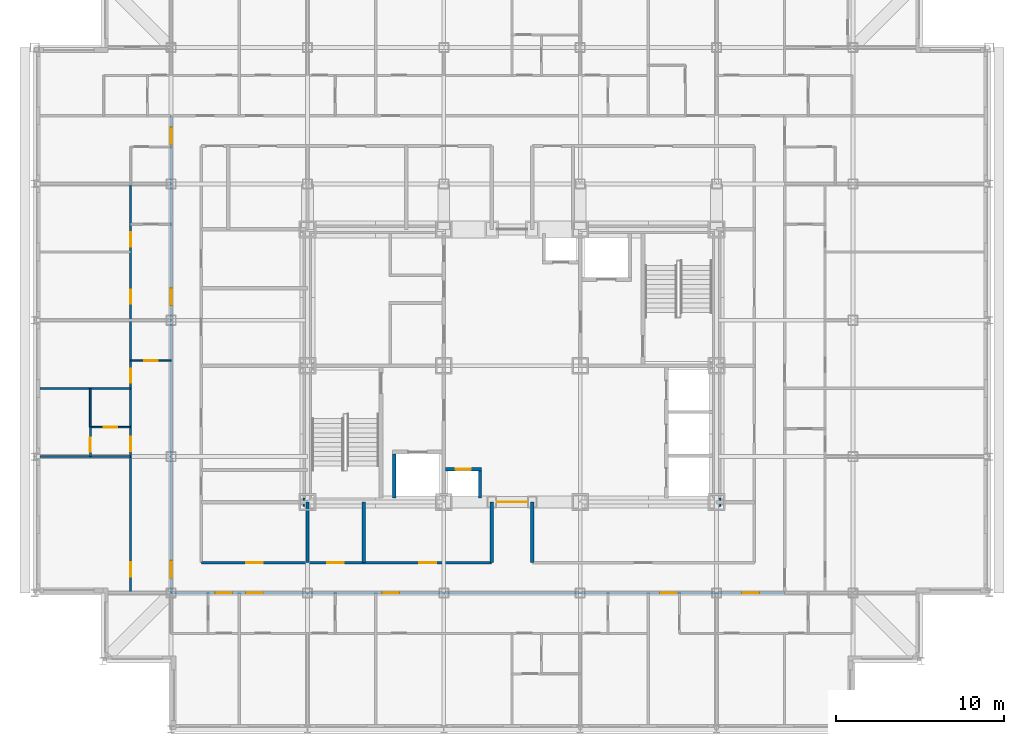
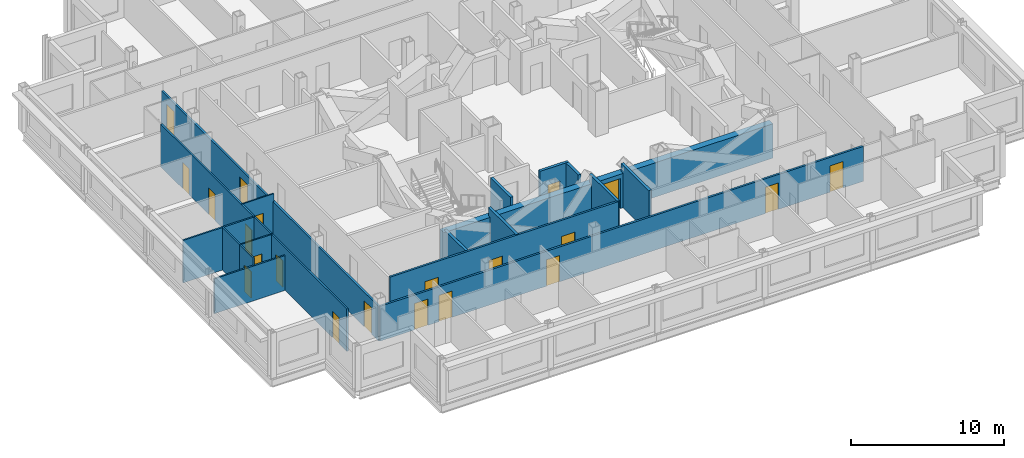
# One storey, part 5 of 12: 21 doors, 18 walls, 21 openings.
"""IFC4 building model written with IfcOpenShell, lengths in metres."""

from ifc_helpers import new_model, si_unit, direction, frame, frame_2d, origin, place, context, subcontext, project, spatial, rectangle, extrude, material, layer, layer_set, type_object, element, fill, save


model = new_model("IFC4")

# Units and contexts
model_context = context("Model", 3, precision=1e-05, world=origin(), true_north=direction((0.0, 1.0)))
body_context = subcontext(model_context, "Body", "Model", "MODEL_VIEW")
ifc_project = project(units=[si_unit("LENGTHUNIT", "METRE"), si_unit("AREAUNIT", "SQUARE_METRE"), si_unit("VOLUMEUNIT", "CUBIC_METRE"), si_unit("PLANEANGLEUNIT", "RADIAN"), si_unit("MASSUNIT", "GRAM", prefix="KILO")], contexts=[model_context])

# Site, building, storey
site_placement = place(None, origin())
site = spatial("IfcSite", under=ifc_project, at=site_placement, CompositionType="ELEMENT")
building_placement = place(site_placement, origin())
building = spatial("IfcBuilding", under=site, at=building_placement, Name="Kopane Lantern Tower", CompositionType="ELEMENT")
storey_placement = place(building_placement, frame((0.0, 0.0, 206.39990234375)))
storey = spatial("IfcBuildingStorey", under=building, at=storey_placement, Name="L53", CompositionType="ELEMENT", Elevation=206.39990234375)

# Wall, openings, doors
ifc_material_1 = material(Name="Gypsum board on steel studs", Category="steel")
ifc_layer_1 = layer(ifc_material_1, 0.1201171875)
ifc_layer_set_1 = layer_set([ifc_layer_1], Name="APARTMENT INTERNAL WALL 120")
wall_type_1 = type_object("IfcWallType", Name="APARTMENT INTERNAL WALL 120", PredefinedType="PARTITIONING", material=ifc_layer_set_1)
wall_1_placement = place(storey_placement, frame((5.699951171875, 18.89990234375, 0.0), z_axis=(0.0, 0.0, 1.0), x_axis=(0.0, 1.0, 0.0)))
wall_1 = element("IfcWall", 1, at=wall_1_placement, inside=storey, type_object=wall_type_1, Name="Apartment Internal Wall 120 L53", PredefinedType="PARTITIONING", context=body_context, shape_type="SweptSolid", body=[
    extrude(rectangle(XDim=24.300048828125, YDim=0.1201171875, at=frame_2d((12.14990234375, 0.0))), origin(), (0.0, 0.0, 1.0), 3.39013671875),
])
opening_1_placement = place(wall_1_placement, frame((0.97509765625, 0.0, 0.0)))
opening_1 = element("IfcOpeningElement", 2, at=opening_1_placement, cuts=wall_1, Name="Opening L53-043", PredefinedType="OPENING", context=body_context, shape_type="SweptSolid", body=[
    extrude(rectangle(XDim=0.85009765625, YDim=2.10009765625, at=frame_2d((0.425048828125, 1.050048828125))), frame((0.0, 0.070068359375, 0.0), z_axis=(0.0, -1.0, 0.0), x_axis=(1.0, 0.0, 0.0)), (0.0, 0.0, 1.0), 0.14013671875),
])
opening_2_placement = place(wall_1_placement, frame((8.425048828125, 0.0, 0.0)))
opening_2 = element("IfcOpeningElement", 3, at=opening_2_placement, cuts=wall_1, Name="Opening L53-045", PredefinedType="OPENING", context=body_context, shape_type="SweptSolid", body=[
    extrude(rectangle(XDim=0.85009765625, YDim=2.10009765625, at=frame_2d((0.425048828125, 1.050048828125))), frame((0.0, 0.070068359375, 0.0), z_axis=(0.0, -1.0, 0.0), x_axis=(1.0, 0.0, 0.0)), (0.0, 0.0, 1.0), 0.14013671875),
])
opening_3_placement = place(wall_1_placement, frame((12.47509765625, 0.0, 0.0)))
opening_3 = element("IfcOpeningElement", 4, at=opening_3_placement, cuts=wall_1, Name="Opening L53-046", PredefinedType="OPENING", context=body_context, shape_type="SweptSolid", body=[
    extrude(rectangle(XDim=0.85009765625, YDim=2.10009765625, at=frame_2d((0.425048828125, 1.050048828125))), frame((0.0, 0.070068359375, 0.0), z_axis=(0.0, -1.0, 0.0), x_axis=(1.0, 0.0, 0.0)), (0.0, 0.0, 1.0), 0.14013671875),
])
opening_4_placement = place(wall_1_placement, frame((17.175048828125, 0.0, 0.0)))
opening_4 = element("IfcOpeningElement", 5, at=opening_4_placement, cuts=wall_1, Name="Opening L53-049", PredefinedType="OPENING", context=body_context, shape_type="SweptSolid", body=[
    extrude(rectangle(XDim=0.85009765625, YDim=2.10009765625, at=frame_2d((0.425048828125, 1.050048828125))), frame((0.0, 0.070068359375, 0.0), z_axis=(0.0, -1.0, 0.0), x_axis=(1.0, 0.0, 0.0)), (0.0, 0.0, 1.0), 0.14013671875),
])
opening_5_placement = place(wall_1_placement, frame((20.574951171875, 0.0, 0.0)))
opening_5 = element("IfcOpeningElement", 6, at=opening_5_placement, cuts=wall_1, Name="Opening L53-050", PredefinedType="OPENING", context=body_context, shape_type="SweptSolid", body=[
    extrude(rectangle(XDim=0.85009765625, YDim=2.10009765625, at=frame_2d((0.425048828125, 1.050048828125))), frame((0.0, 0.070068359375, 0.0), z_axis=(0.0, -1.0, 0.0), x_axis=(1.0, 0.0, 0.0)), (0.0, 0.0, 1.0), 0.14013671875),
])
ifc_material_2 = material(Name="Timber door set", Category="wood")
door_type_1 = type_object("IfcDoorType", Name="DOOR D4 850x2100", OperationType="SINGLE_SWING_LEFT", PredefinedType="DOOR", material=ifc_material_2)
door_1_placement = place(opening_1_placement, origin())
door_1 = element("IfcDoor", 7, at=door_1_placement, inside=storey, type_object=door_type_1, Name="Door L53-043", OperationType="SINGLE_SWING_RIGHT", OverallHeight=2.10009765625, OverallWidth=0.85009765625, PredefinedType="DOOR", context=body_context, shape_type="SweptSolid", body=[
    extrude(rectangle(XDim=0.85009765625, YDim=2.10009765625, at=frame_2d((0.425048828125, 1.050048828125))), frame((0.0, 0.02490234375, 0.0), z_axis=(0.0, -1.0, 0.0), x_axis=(1.0, 0.0, 0.0)), (0.0, 0.0, 1.0), 0.050048828125),
])
fill(opening_1, door_1)
door_2_placement = place(opening_2_placement, origin())
door_2 = element("IfcDoor", 8, at=door_2_placement, inside=storey, type_object=door_type_1, Name="Door L53-045", OperationType="SINGLE_SWING_LEFT", OverallHeight=2.10009765625, OverallWidth=0.85009765625, PredefinedType="DOOR", context=body_context, shape_type="SweptSolid", body=[
    extrude(rectangle(XDim=0.85009765625, YDim=2.10009765625, at=frame_2d((0.425048828125, 1.050048828125))), frame((0.0, 0.02490234375, 0.0), z_axis=(0.0, -1.0, 0.0), x_axis=(1.0, 0.0, 0.0)), (0.0, 0.0, 1.0), 0.050048828125),
])
fill(opening_2, door_2)
door_3_placement = place(opening_3_placement, origin())
door_3 = element("IfcDoor", 9, at=door_3_placement, inside=storey, type_object=door_type_1, Name="Door L53-046", OperationType="SINGLE_SWING_LEFT", OverallHeight=2.10009765625, OverallWidth=0.85009765625, PredefinedType="DOOR", context=body_context, shape_type="SweptSolid", body=[
    extrude(rectangle(XDim=0.85009765625, YDim=2.10009765625, at=frame_2d((0.425048828125, 1.050048828125))), frame((0.0, 0.02490234375, 0.0), z_axis=(0.0, -1.0, 0.0), x_axis=(1.0, 0.0, 0.0)), (0.0, 0.0, 1.0), 0.050048828125),
])
fill(opening_3, door_3)
door_4_placement = place(opening_4_placement, origin())
door_4 = element("IfcDoor", 10, at=door_4_placement, inside=storey, type_object=door_type_1, Name="Door L53-049", OperationType="SINGLE_SWING_RIGHT", OverallHeight=2.10009765625, OverallWidth=0.85009765625, PredefinedType="DOOR", context=body_context, shape_type="SweptSolid", body=[
    extrude(rectangle(XDim=0.85009765625, YDim=2.10009765625, at=frame_2d((0.425048828125, 1.050048828125))), frame((0.0, 0.02490234375, 0.0), z_axis=(0.0, -1.0, 0.0), x_axis=(1.0, 0.0, 0.0)), (0.0, 0.0, 1.0), 0.050048828125),
])
fill(opening_4, door_4)
door_5_placement = place(opening_5_placement, origin())
door_5 = element("IfcDoor", 11, at=door_5_placement, inside=storey, type_object=door_type_1, Name="Door L53-050", OperationType="SINGLE_SWING_LEFT", OverallHeight=2.10009765625, OverallWidth=0.85009765625, PredefinedType="DOOR", context=body_context, shape_type="SweptSolid", body=[
    extrude(rectangle(XDim=0.85009765625, YDim=2.10009765625, at=frame_2d((0.425048828125, 1.050048828125))), frame((0.0, 0.02490234375, 0.0), z_axis=(0.0, -1.0, 0.0), x_axis=(1.0, 0.0, 0.0)), (0.0, 0.0, 1.0), 0.050048828125),
])
fill(opening_5, door_5)

# Walls
wall_2_placement = place(storey_placement, frame((5.699951171875, 27.0, 0.0), z_axis=(0.0, 0.0, 1.0), x_axis=(-1.0, 0.0, 0.0)))
element("IfcWall", 12, at=wall_2_placement, inside=storey, type_object=wall_type_1, Name="Apartment Internal Wall 120 L53", PredefinedType="PARTITIONING", context=body_context, shape_type="SweptSolid", body=[
    extrude(rectangle(XDim=5.39990234375, YDim=0.1201171875, at=frame_2d((2.699951171875, 0.0))), origin(), (0.0, 0.0, 1.0), 2.77783203125),
])
wall_3_placement = place(storey_placement, frame((5.699951171875, 31.050048828125, 0.0), z_axis=(0.0, 0.0, 1.0), x_axis=(-1.0, 0.0, 0.0)))
element("IfcWall", 13, at=wall_3_placement, inside=storey, type_object=wall_type_1, Name="Apartment Internal Wall 120 L53", PredefinedType="PARTITIONING", context=body_context, shape_type="SweptSolid", body=[
    extrude(rectangle(XDim=5.39990234375, YDim=0.1201171875, at=frame_2d((2.699951171875, 0.0))), origin(), (0.0, 0.0, 1.0), 3.39013671875),
])

# Wall, opening, door
wall_4_placement = place(storey_placement, frame((3.300048828125, 27.0, 0.0), z_axis=(0.0, 0.0, 1.0), x_axis=(0.0, 1.0, 0.0)))
wall_4 = element("IfcWall", 14, at=wall_4_placement, inside=storey, type_object=wall_type_1, Name="Apartment Internal Wall 120 L53", PredefinedType="PARTITIONING", context=body_context, shape_type="SweptSolid", body=[
    extrude(rectangle(XDim=1.760009765625, YDim=0.1201171875, at=frame_2d((0.8798828125, 0.0))), origin(), (0.0, 0.0, 1.0), 3.39013671875),
])
opening_6_placement = place(wall_4_placement, frame((0.27490234375, 0.0, 0.0)))
opening_6 = element("IfcOpeningElement", 15, at=opening_6_placement, cuts=wall_4, Name="Opening L53-082", PredefinedType="OPENING", context=body_context, shape_type="SweptSolid", body=[
    extrude(rectangle(XDim=0.85009765625, YDim=2.10009765625, at=frame_2d((0.425048828125, 1.050048828125))), frame((0.0, 0.070068359375, 0.0), z_axis=(0.0, -1.0, 0.0), x_axis=(1.0, 0.0, 0.0)), (0.0, 0.0, 1.0), 0.14013671875),
])
door_6_placement = place(opening_6_placement, origin())
door_6 = element("IfcDoor", 16, at=door_6_placement, inside=storey, type_object=door_type_1, Name="Door L53-082", OperationType="SINGLE_SWING_LEFT", OverallHeight=2.10009765625, OverallWidth=0.85009765625, PredefinedType="DOOR", context=body_context, shape_type="SweptSolid", body=[
    extrude(rectangle(XDim=0.85009765625, YDim=2.10009765625, at=frame_2d((0.425048828125, 1.050048828125))), frame((0.0, 0.02490234375, 0.0), z_axis=(0.0, -1.0, 0.0), x_axis=(1.0, 0.0, 0.0)), (0.0, 0.0, 1.0), 0.050048828125),
])
fill(opening_6, door_6)

ifc_material_3 = material(Name="Moisture-resistant board on steel studs", Category="steel")
ifc_layer_2 = layer(ifc_material_3, 0.10009765625)
ifc_layer_set_2 = layer_set([ifc_layer_2], Name="BATHROOM WALL 100")
wall_type_2 = type_object("IfcWallType", Name="BATHROOM WALL 100", PredefinedType="PARTITIONING", material=ifc_layer_set_2)
wall_5_placement = place(storey_placement, frame((8.10009765625, 32.699951171875, 0.0), z_axis=(0.0, 0.0, 1.0), x_axis=(-1.0, 0.0, 0.0)))
wall_5 = element("IfcWall", 17, at=wall_5_placement, inside=storey, type_object=wall_type_2, Name="Bathroom Wall 100 L53", PredefinedType="PARTITIONING", context=body_context, shape_type="SweptSolid", body=[
    extrude(rectangle(XDim=2.400146484375, YDim=0.10009765625, at=frame_2d((1.2001953125, 0.0))), origin(), (0.0, 0.0, 1.0), 3.39013671875),
])
opening_7_placement = place(wall_5_placement, frame((0.800048828125, 0.0, 0.0)))
opening_7 = element("IfcOpeningElement", 18, at=opening_7_placement, cuts=wall_5, Name="Opening L53-041", PredefinedType="OPENING", context=body_context, shape_type="SweptSolid", body=[
    extrude(rectangle(XDim=0.800048828125, YDim=2.10009765625, at=frame_2d((0.39990234375, 1.050048828125))), frame((0.0, 0.06005859375, 0.0), z_axis=(0.0, -1.0, 0.0), x_axis=(1.0, 0.0, 0.0)), (0.0, 0.0, 1.0), 0.1201171875),
])
ifc_material_4 = material(Name="Timber door set", Category="wood")
door_type_2 = type_object("IfcDoorType", Name="DOOR D2 800x2100", OperationType="SINGLE_SWING_LEFT", PredefinedType="DOOR", material=ifc_material_4)
door_7_placement = place(opening_7_placement, origin())
door_7 = element("IfcDoor", 19, at=door_7_placement, inside=storey, type_object=door_type_2, Name="Door L53-041", OperationType="SINGLE_SWING_RIGHT", OverallHeight=2.10009765625, OverallWidth=0.800048828125, PredefinedType="DOOR", context=body_context, shape_type="SweptSolid", body=[
    extrude(rectangle(XDim=0.800048828125, YDim=2.10009765625, at=frame_2d((0.39990234375, 1.050048828125))), frame((0.0, 0.02490234375, 0.0), z_axis=(0.0, -1.0, 0.0), x_axis=(1.0, 0.0, 0.0)), (0.0, 0.0, 1.0), 0.050048828125),
])
fill(opening_7, door_7)

wall_6_placement = place(storey_placement, frame((5.699951171875, 28.75, 0.0), z_axis=(0.0, 0.0, 1.0), x_axis=(-1.0, 0.0, 0.0)))
wall_6 = element("IfcWall", 20, at=wall_6_placement, inside=storey, type_object=wall_type_2, Name="Bathroom Wall 100 L53", PredefinedType="PARTITIONING", context=body_context, shape_type="SweptSolid", body=[
    extrude(rectangle(XDim=2.39990234375, YDim=0.10009765625, at=frame_2d((1.199951171875, 0.0))), origin(), (0.0, 0.0, 1.0), 3.39013671875),
])
opening_8_placement = place(wall_6_placement, frame((0.800048828125, 0.0, 0.0)))
opening_8 = element("IfcOpeningElement", 21, at=opening_8_placement, cuts=wall_6, Name="Opening L53-044", PredefinedType="OPENING", context=body_context, shape_type="SweptSolid", body=[
    extrude(rectangle(XDim=0.800048828125, YDim=2.10009765625, at=frame_2d((0.39990234375, 1.050048828125))), frame((0.0, 0.06005859375, 0.0), z_axis=(0.0, -1.0, 0.0), x_axis=(1.0, 0.0, 0.0)), (0.0, 0.0, 1.0), 0.1201171875),
])
door_8_placement = place(opening_8_placement, origin())
door_8 = element("IfcDoor", 22, at=door_8_placement, inside=storey, type_object=door_type_2, Name="Door L53-044", OperationType="SINGLE_SWING_RIGHT", OverallHeight=2.10009765625, OverallWidth=0.800048828125, PredefinedType="DOOR", context=body_context, shape_type="SweptSolid", body=[
    extrude(rectangle(XDim=0.800048828125, YDim=2.10009765625, at=frame_2d((0.39990234375, 1.050048828125))), frame((0.0, 0.02490234375, 0.0), z_axis=(0.0, -1.0, 0.0), x_axis=(1.0, 0.0, 0.0)), (0.0, 0.0, 1.0), 0.050048828125),
])
fill(opening_8, door_8)

# Wall
wall_7_placement = place(storey_placement, frame((3.300048828125, 28.75, 0.0), z_axis=(0.0, 0.0, 1.0), x_axis=(0.0, 1.0, 0.0)))
element("IfcWall", 23, at=wall_7_placement, inside=storey, type_object=wall_type_2, Name="Bathroom Wall 100 L53", PredefinedType="PARTITIONING", context=body_context, shape_type="SweptSolid", body=[
    extrude(rectangle(XDim=2.300048828125, YDim=0.10009765625, at=frame_2d((1.14990234375, 0.0))), origin(), (0.0, 0.0, 1.0), 3.39013671875),
])

# Wall, opening, door
ifc_material_5 = material(Name="Gypsum shaft wall EI 120", Category="gypsum")
ifc_layer_3 = layer(ifc_material_5, 0.5)
ifc_layer_set_3 = layer_set([ifc_layer_3], Name="CORE PERIMETER WALL 500 EI 120")
wall_type_3 = type_object("IfcWallType", Name="CORE PERIMETER WALL 500 EI 120", PredefinedType="SOLIDWALL", material=ifc_layer_set_3)
wall_8_placement = place(storey_placement, frame((15.949951171875, 24.300048828125, 0.0), z_axis=(0.0, 0.0, 1.0), x_axis=(1.0, 0.0, 0.0)))
wall_8 = element("IfcWall", 24, at=wall_8_placement, inside=storey, type_object=wall_type_3, Name="Core shaft wall L53 PS", PredefinedType="SOLIDWALL", context=body_context, shape_type="SweptSolid", body=[
    extrude(rectangle(XDim=24.800048828125, YDim=0.5, at=frame_2d((12.39990234375, 0.0))), origin(), (0.0, 0.0, 1.0), 2.739990234375),
])
opening_9_placement = place(wall_8_placement, frame((11.5, 0.0, 0.0)))
opening_9 = element("IfcOpeningElement", 25, at=opening_9_placement, cuts=wall_8, Name="Opening 53.CE-S", PredefinedType="OPENING", context=body_context, shape_type="SweptSolid", body=[
    extrude(rectangle(XDim=1.800048828125, YDim=2.39990234375, at=frame_2d((0.89990234375, 1.199951171875))), frame((0.0, 0.260009765625, 0.0), z_axis=(0.0, -1.0, 0.0), x_axis=(1.0, 0.0, 0.0)), (0.0, 0.0, 1.0), 0.52001953125),
])
ifc_material_6 = material(Name="Steel door set", Category="steel")
door_type_3 = type_object("IfcDoorType", Name="CORE ENTRY DOOR 1800x2400 FD60S", OperationType="DOUBLE_DOOR_SINGLE_SWING", PredefinedType="DOOR", material=ifc_material_6)
door_9_placement = place(opening_9_placement, origin())
door_9 = element("IfcDoor", 26, at=door_9_placement, inside=storey, type_object=door_type_3, Name="Core entry door L53 south", OperationType="DOUBLE_DOOR_SINGLE_SWING", OverallHeight=2.39990234375, OverallWidth=1.800048828125, PredefinedType="DOOR", context=body_context, shape_type="SweptSolid", body=[
    extrude(rectangle(XDim=1.800048828125, YDim=2.39990234375, at=frame_2d((0.89990234375, 1.199951171875))), frame((0.0, 0.02490234375, 0.0), z_axis=(0.0, -1.0, 0.0), x_axis=(1.0, 0.0, 0.0)), (0.0, 0.0, 1.0), 0.050048828125),
])
fill(opening_9, door_9)

# Wall, openings, doors
ifc_material_7 = material(Name="Gypsum board on steel studs", Category="steel")
ifc_layer_4 = layer(ifc_material_7, 0.14990234375)
ifc_layer_set_4 = layer_set([ifc_layer_4], Name="CORRIDOR WALL 150 EI 60")
wall_type_4 = type_object("IfcWallType", Name="CORRIDOR WALL 150 EI 60", PredefinedType="PARTITIONING", material=ifc_layer_set_4)
wall_9_placement = place(storey_placement, frame((8.10009765625, 18.89990234375, 0.0), z_axis=(0.0, 0.0, 1.0), x_axis=(1.0, 0.0, 0.0)))
wall_9 = element("IfcWall", 27, at=wall_9_placement, inside=storey, type_object=wall_type_4, Name="Corridor Wall 150 Ei 60 L53", PredefinedType="PARTITIONING", context=body_context, shape_type="SweptSolid", body=[
    extrude(rectangle(XDim=36.449951171875, YDim=0.14990234375, at=frame_2d((18.22509765625, 0.0))), origin(), (0.0, 0.0, 1.0), 2.77783203125),
])
opening_10_placement = place(wall_9_placement, frame((4.449951171875, 0.0, 0.0)))
opening_10 = element("IfcOpeningElement", 28, at=opening_10_placement, cuts=wall_9, Name="Opening L53-018", PredefinedType="OPENING", context=body_context, shape_type="SweptSolid", body=[
    extrude(rectangle(XDim=1.0, YDim=2.10009765625, at=frame_2d((0.5, 1.050048828125))), frame((0.0, 0.0849609375, 0.0), z_axis=(0.0, -1.0, 0.0), x_axis=(1.0, 0.0, 0.0)), (0.0, 0.0, 1.0), 0.169921875),
])
opening_11_placement = place(wall_9_placement, frame((12.550048828125, 0.0, 0.0)))
opening_11 = element("IfcOpeningElement", 29, at=opening_11_placement, cuts=wall_9, Name="Opening L53-022", PredefinedType="OPENING", context=body_context, shape_type="SweptSolid", body=[
    extrude(rectangle(XDim=1.0, YDim=2.10009765625, at=frame_2d((0.5, 1.050048828125))), frame((0.0, 0.0849609375, 0.0), z_axis=(0.0, -1.0, 0.0), x_axis=(1.0, 0.0, 0.0)), (0.0, 0.0, 1.0), 0.169921875),
])
opening_12_placement = place(wall_9_placement, frame((29.050048828125, 0.0, 0.0)))
opening_12 = element("IfcOpeningElement", 30, at=opening_12_placement, cuts=wall_9, Name="Opening L53-028", PredefinedType="OPENING", context=body_context, shape_type="SweptSolid", body=[
    extrude(rectangle(XDim=1.0, YDim=2.10009765625, at=frame_2d((0.5, 1.050048828125))), frame((0.0, 0.0849609375, 0.0), z_axis=(0.0, -1.0, 0.0), x_axis=(1.0, 0.0, 0.0)), (0.0, 0.0, 1.0), 0.169921875),
])
opening_13_placement = place(wall_9_placement, frame((2.625, 0.0, 0.0)))
opening_13 = element("IfcOpeningElement", 31, at=opening_13_placement, cuts=wall_9, Name="Opening L53-064", PredefinedType="OPENING", context=body_context, shape_type="SweptSolid", body=[
    extrude(rectangle(XDim=1.0, YDim=2.10009765625, at=frame_2d((0.5, 1.050048828125))), frame((0.0, 0.0849609375, 0.0), z_axis=(0.0, -1.0, 0.0), x_axis=(1.0, 0.0, 0.0)), (0.0, 0.0, 1.0), 0.169921875),
])
opening_14_placement = place(wall_9_placement, frame((33.925048828125, 0.0, 0.0)))
opening_14 = element("IfcOpeningElement", 32, at=opening_14_placement, cuts=wall_9, Name="Opening L53-066", PredefinedType="OPENING", context=body_context, shape_type="SweptSolid", body=[
    extrude(rectangle(XDim=1.0, YDim=2.10009765625, at=frame_2d((0.5, 1.050048828125))), frame((0.0, 0.0849609375, 0.0), z_axis=(0.0, -1.0, 0.0), x_axis=(1.0, 0.0, 0.0)), (0.0, 0.0, 1.0), 0.169921875),
])
ifc_material_8 = material(Name="Steel door set", Category="steel")
door_type_4 = type_object("IfcDoorType", Name="DOOR D3 1000x2100 FD30S", OperationType="SINGLE_SWING_LEFT", PredefinedType="DOOR", material=ifc_material_8)
door_10_placement = place(opening_10_placement, origin())
door_10 = element("IfcDoor", 33, at=door_10_placement, inside=storey, type_object=door_type_4, Name="Door L53-018", OperationType="SINGLE_SWING_RIGHT", OverallHeight=2.10009765625, OverallWidth=1.0, PredefinedType="DOOR", context=body_context, shape_type="SweptSolid", body=[
    extrude(rectangle(XDim=1.0, YDim=2.10009765625, at=frame_2d((0.5, 1.050048828125))), frame((0.0, 0.02490234375, 0.0), z_axis=(0.0, -1.0, 0.0), x_axis=(1.0, 0.0, 0.0)), (0.0, 0.0, 1.0), 0.050048828125),
])
fill(opening_10, door_10)
door_11_placement = place(opening_11_placement, origin())
door_11 = element("IfcDoor", 34, at=door_11_placement, inside=storey, type_object=door_type_4, Name="Door L53-022", OperationType="SINGLE_SWING_RIGHT", OverallHeight=2.10009765625, OverallWidth=1.0, PredefinedType="DOOR", context=body_context, shape_type="SweptSolid", body=[
    extrude(rectangle(XDim=1.0, YDim=2.10009765625, at=frame_2d((0.5, 1.050048828125))), frame((0.0, 0.02490234375, 0.0), z_axis=(0.0, -1.0, 0.0), x_axis=(1.0, 0.0, 0.0)), (0.0, 0.0, 1.0), 0.050048828125),
])
fill(opening_11, door_11)
door_12_placement = place(opening_12_placement, origin())
door_12 = element("IfcDoor", 35, at=door_12_placement, inside=storey, type_object=door_type_4, Name="Door L53-028", OperationType="SINGLE_SWING_LEFT", OverallHeight=2.10009765625, OverallWidth=1.0, PredefinedType="DOOR", context=body_context, shape_type="SweptSolid", body=[
    extrude(rectangle(XDim=1.0, YDim=2.10009765625, at=frame_2d((0.5, 1.050048828125))), frame((0.0, 0.02490234375, 0.0), z_axis=(0.0, -1.0, 0.0), x_axis=(1.0, 0.0, 0.0)), (0.0, 0.0, 1.0), 0.050048828125),
])
fill(opening_12, door_12)
door_13_placement = place(opening_13_placement, origin())
door_13 = element("IfcDoor", 36, at=door_13_placement, inside=storey, type_object=door_type_4, Name="Door L53-064", OperationType="SINGLE_SWING_RIGHT", OverallHeight=2.10009765625, OverallWidth=1.0, PredefinedType="DOOR", context=body_context, shape_type="SweptSolid", body=[
    extrude(rectangle(XDim=1.0, YDim=2.10009765625, at=frame_2d((0.5, 1.050048828125))), frame((0.0, 0.02490234375, 0.0), z_axis=(0.0, -1.0, 0.0), x_axis=(1.0, 0.0, 0.0)), (0.0, 0.0, 1.0), 0.050048828125),
])
fill(opening_13, door_13)
door_14_placement = place(opening_14_placement, origin())
door_14 = element("IfcDoor", 37, at=door_14_placement, inside=storey, type_object=door_type_4, Name="Door L53-066", OperationType="SINGLE_SWING_RIGHT", OverallHeight=2.10009765625, OverallWidth=1.0, PredefinedType="DOOR", context=body_context, shape_type="SweptSolid", body=[
    extrude(rectangle(XDim=1.0, YDim=2.10009765625, at=frame_2d((0.5, 1.050048828125))), frame((0.0, 0.02490234375, 0.0), z_axis=(0.0, -1.0, 0.0), x_axis=(1.0, 0.0, 0.0)), (0.0, 0.0, 1.0), 0.050048828125),
])
fill(opening_14, door_14)

wall_10_placement = place(storey_placement, frame((8.10009765625, 18.89990234375, 0.0), z_axis=(0.0, 0.0, 1.0), x_axis=(0.0, 1.0, 0.0)))
wall_10 = element("IfcWall", 38, at=wall_10_placement, inside=storey, type_object=wall_type_4, Name="Corridor Wall 150 Ei 60 L53", PredefinedType="PARTITIONING", context=body_context, shape_type="SweptSolid", body=[
    extrude(rectangle(XDim=28.35009765625, YDim=0.14990234375, at=frame_2d((14.175048828125, 0.0))), origin(), (0.0, 0.0, 1.0), 2.77783203125),
])
opening_15_placement = place(wall_10_placement, frame((0.89990234375, 0.0, 0.0)))
opening_15 = element("IfcOpeningElement", 39, at=opening_15_placement, cuts=wall_10, Name="Opening L53-042", PredefinedType="OPENING", context=body_context, shape_type="SweptSolid", body=[
    extrude(rectangle(XDim=1.0, YDim=2.10009765625, at=frame_2d((0.5, 1.050048828125))), frame((0.0, 0.0849609375, 0.0), z_axis=(0.0, -1.0, 0.0), x_axis=(1.0, 0.0, 0.0)), (0.0, 0.0, 1.0), 0.169921875),
])
opening_16_placement = place(wall_10_placement, frame((17.10009765625, 0.0, 0.0)))
opening_16 = element("IfcOpeningElement", 40, at=opening_16_placement, cuts=wall_10, Name="Opening L53-048", PredefinedType="OPENING", context=body_context, shape_type="SweptSolid", body=[
    extrude(rectangle(XDim=1.0, YDim=2.10009765625, at=frame_2d((0.5, 1.050048828125))), frame((0.0, 0.0849609375, 0.0), z_axis=(0.0, -1.0, 0.0), x_axis=(1.0, 0.0, 0.0)), (0.0, 0.0, 1.0), 0.169921875),
])
opening_17_placement = place(wall_10_placement, frame((26.64990234375, 0.0, 0.0)))
opening_17 = element("IfcOpeningElement", 41, at=opening_17_placement, cuts=wall_10, Name="Opening L53-052", PredefinedType="OPENING", context=body_context, shape_type="SweptSolid", body=[
    extrude(rectangle(XDim=1.0, YDim=2.10009765625, at=frame_2d((0.5, 1.050048828125))), frame((0.0, 0.0849609375, 0.0), z_axis=(0.0, -1.0, 0.0), x_axis=(1.0, 0.0, 0.0)), (0.0, 0.0, 1.0), 0.169921875),
])
door_15_placement = place(opening_15_placement, origin())
door_15 = element("IfcDoor", 42, at=door_15_placement, inside=storey, type_object=door_type_4, Name="Door L53-042", OperationType="SINGLE_SWING_LEFT", OverallHeight=2.10009765625, OverallWidth=1.0, PredefinedType="DOOR", context=body_context, shape_type="SweptSolid", body=[
    extrude(rectangle(XDim=1.0, YDim=2.10009765625, at=frame_2d((0.5, 1.050048828125))), frame((0.0, 0.02490234375, 0.0), z_axis=(0.0, -1.0, 0.0), x_axis=(1.0, 0.0, 0.0)), (0.0, 0.0, 1.0), 0.050048828125),
])
fill(opening_15, door_15)
door_16_placement = place(opening_16_placement, origin())
door_16 = element("IfcDoor", 43, at=door_16_placement, inside=storey, type_object=door_type_4, Name="Door L53-048", OperationType="SINGLE_SWING_LEFT", OverallHeight=2.10009765625, OverallWidth=1.0, PredefinedType="DOOR", context=body_context, shape_type="SweptSolid", body=[
    extrude(rectangle(XDim=1.0, YDim=2.10009765625, at=frame_2d((0.5, 1.050048828125))), frame((0.0, 0.02490234375, 0.0), z_axis=(0.0, -1.0, 0.0), x_axis=(1.0, 0.0, 0.0)), (0.0, 0.0, 1.0), 0.050048828125),
])
fill(opening_16, door_16)
door_17_placement = place(opening_17_placement, origin())
door_17 = element("IfcDoor", 44, at=door_17_placement, inside=storey, type_object=door_type_4, Name="Door L53-052", OperationType="SINGLE_SWING_LEFT", OverallHeight=2.10009765625, OverallWidth=1.0, PredefinedType="DOOR", context=body_context, shape_type="SweptSolid", body=[
    extrude(rectangle(XDim=1.0, YDim=2.10009765625, at=frame_2d((0.5, 1.050048828125))), frame((0.0, 0.02490234375, 0.0), z_axis=(0.0, -1.0, 0.0), x_axis=(1.0, 0.0, 0.0)), (0.0, 0.0, 1.0), 0.050048828125),
])
fill(opening_17, door_17)

wall_11_placement = place(storey_placement, frame((9.89990234375, 20.699951171875, 0.0), z_axis=(0.0, 0.0, 1.0), x_axis=(1.0, 0.0, 0.0)))
wall_11 = element("IfcWall", 45, at=wall_11_placement, inside=storey, type_object=wall_type_4, Name="Corridor Wall 150 Ei 60 L53", PredefinedType="PARTITIONING", context=body_context, shape_type="SweptSolid", body=[
    extrude(rectangle(XDim=17.239990234375, YDim=0.14990234375, at=frame_2d((8.6201171875, 0.0))), origin(), (0.0, 0.0, 1.0), 3.39013671875),
])
opening_18_placement = place(wall_11_placement, frame((2.64990234375, 0.0, 0.0)))
opening_18 = element("IfcOpeningElement", 46, at=opening_18_placement, cuts=wall_11, Name="Opening L53-007", PredefinedType="OPENING", context=body_context, shape_type="SweptSolid", body=[
    extrude(rectangle(XDim=1.0, YDim=2.10009765625, at=frame_2d((0.5, 1.050048828125))), frame((0.0, 0.0849609375, 0.0), z_axis=(0.0, -1.0, 0.0), x_axis=(1.0, 0.0, 0.0)), (0.0, 0.0, 1.0), 0.169921875),
])
opening_19_placement = place(wall_11_placement, frame((7.466796875, 0.0, 0.0)))
opening_19 = element("IfcOpeningElement", 47, at=opening_19_placement, cuts=wall_11, Name="Opening L53-008", PredefinedType="OPENING", context=body_context, shape_type="SweptSolid", body=[
    extrude(rectangle(XDim=1.0, YDim=2.10009765625, at=frame_2d((0.5, 1.050048828125))), frame((0.0, 0.0849609375, 0.0), z_axis=(0.0, -1.0, 0.0), x_axis=(1.0, 0.0, 0.0)), (0.0, 0.0, 1.0), 0.169921875),
])
opening_20_placement = place(wall_11_placement, frame((12.941650390625, 0.0, 0.0)))
opening_20 = element("IfcOpeningElement", 48, at=opening_20_placement, cuts=wall_11, Name="Opening L53-009", PredefinedType="OPENING", context=body_context, shape_type="SweptSolid", body=[
    extrude(rectangle(XDim=1.0, YDim=2.10009765625, at=frame_2d((0.5, 1.050048828125))), frame((0.0, 0.0849609375, 0.0), z_axis=(0.0, -1.0, 0.0), x_axis=(1.0, 0.0, 0.0)), (0.0, 0.0, 1.0), 0.169921875),
])
ifc_material_9 = material(Name="Steel door set", Category="steel")
door_type_5 = type_object("IfcDoorType", Name="DOOR D5 1000x2100 FD60", OperationType="SINGLE_SWING_LEFT", PredefinedType="DOOR", material=ifc_material_9)
door_18_placement = place(opening_18_placement, origin())
door_18 = element("IfcDoor", 49, at=door_18_placement, inside=storey, type_object=door_type_5, Name="Door L53-007", OperationType="SINGLE_SWING_LEFT", OverallHeight=2.10009765625, OverallWidth=1.0, PredefinedType="DOOR", context=body_context, shape_type="SweptSolid", body=[
    extrude(rectangle(XDim=1.0, YDim=2.10009765625, at=frame_2d((0.5, 1.050048828125))), frame((0.0, 0.02490234375, 0.0), z_axis=(0.0, -1.0, 0.0), x_axis=(1.0, 0.0, 0.0)), (0.0, 0.0, 1.0), 0.050048828125),
])
fill(opening_18, door_18)
door_19_placement = place(opening_19_placement, origin())
door_19 = element("IfcDoor", 50, at=door_19_placement, inside=storey, type_object=door_type_5, Name="Door L53-008", OperationType="SINGLE_SWING_RIGHT", OverallHeight=2.10009765625, OverallWidth=1.0, PredefinedType="DOOR", context=body_context, shape_type="SweptSolid", body=[
    extrude(rectangle(XDim=1.0, YDim=2.10009765625, at=frame_2d((0.5, 1.050048828125))), frame((0.0, 0.02490234375, 0.0), z_axis=(0.0, -1.0, 0.0), x_axis=(1.0, 0.0, 0.0)), (0.0, 0.0, 1.0), 0.050048828125),
])
fill(opening_19, door_19)
door_20_placement = place(opening_20_placement, origin())
door_20 = element("IfcDoor", 51, at=door_20_placement, inside=storey, type_object=door_type_5, Name="Door L53-009", OperationType="SINGLE_SWING_LEFT", OverallHeight=2.10009765625, OverallWidth=1.0, PredefinedType="DOOR", context=body_context, shape_type="SweptSolid", body=[
    extrude(rectangle(XDim=1.0, YDim=2.10009765625, at=frame_2d((0.5, 1.050048828125))), frame((0.0, 0.02490234375, 0.0), z_axis=(0.0, -1.0, 0.0), x_axis=(1.0, 0.0, 0.0)), (0.0, 0.0, 1.0), 0.050048828125),
])
fill(opening_20, door_20)

# Walls
ifc_material_10 = material(Name="Concrete masonry", Category="masonry")
ifc_layer_5 = layer(ifc_material_10, 0.199951171875)
ifc_layer_set_5 = layer_set([ifc_layer_5], Name="PLANT ROOM WALL 200 EI 120")
wall_type_5 = type_object("IfcWallType", Name="PLANT ROOM WALL 200 EI 120", PredefinedType="SOLIDWALL", material=ifc_layer_set_5)
wall_12_placement = place(storey_placement, frame((16.199951171875, 20.699951171875, 0.0), z_axis=(0.0, 0.0, 1.0), x_axis=(0.0, 1.0, 0.0)))
element("IfcWall", 52, at=wall_12_placement, inside=storey, type_object=wall_type_5, Name="Plant Room Wall 200 Ei 120 L53", PredefinedType="SOLIDWALL", context=body_context, shape_type="SweptSolid", body=[
    extrude(rectangle(XDim=3.60009765625, YDim=0.199951171875, at=frame_2d((1.800048828125, 0.0))), origin(), (0.0, 0.0, 1.0), 2.77783203125),
])
for number, where, z_axis, x_axis, name in (
    (53, (19.533203125, 20.699951171875, 0.0), (0.0, 0.0, 1.0), (0.0, 1.0, 0.0), "Plant Room Wall 200 Ei 120 L53"),
    (54, (27.14990234375, 20.699951171875, 0.0), (0.0, 0.0, 1.0), (0.0, 1.0, 0.0), "Plant Room Wall 200 Ei 120 L53"),
    (55, (29.550048828125, 20.699951171875, 0.0), (0.0, 0.0, 1.0), (0.0, 1.0, 0.0), "Plant Room Wall 200 Ei 120 L53"),
):
    element("IfcWall", number, at=place(storey_placement, frame(where, z_axis=z_axis, x_axis=x_axis)), inside=storey, type_object=wall_type_5, Name=name, PredefinedType="SOLIDWALL", context=body_context, shape_type="SweptSolid", body=[
        extrude(rectangle(XDim=3.60009765625, YDim=0.199951171875, at=frame_2d((1.800048828125, 0.0))), origin(), (0.0, 0.0, 1.0), 3.39013671875),
    ])
ifc_material_11 = material(Name="Gypsum shaft wall EI 120", Category="gypsum")
ifc_layer_6 = layer(ifc_material_11, 0.199951171875)
ifc_layer_set_6 = layer_set([ifc_layer_6], Name="SHAFT WALL 200 EI 120")
wall_type_6 = type_object("IfcWallType", Name="SHAFT WALL 200 EI 120", PredefinedType="SOLIDWALL", material=ifc_layer_set_6)
wall_13_placement = place(storey_placement, frame((21.35009765625, 24.550048828125, 0.0), z_axis=(0.0, 0.0, 1.0), x_axis=(0.0, 1.0, 0.0)))
element("IfcWall", 56, at=wall_13_placement, inside=storey, type_object=wall_type_6, Name="Core shaft wall L53 XLF1", PredefinedType="SOLIDWALL", context=body_context, shape_type="SweptSolid", body=[
    extrude(rectangle(XDim=2.599853515625, YDim=0.199951171875, at=frame_2d((1.2998046875, 0.0))), origin(), (0.0, 0.0, 1.0), 3.39013671875),
])
wall_14_placement = place(storey_placement, frame((26.449951171875, 24.550048828125, 0.0), z_axis=(0.0, 0.0, 1.0), x_axis=(0.0, 1.0, 0.0)))
element("IfcWall", 57, at=wall_14_placement, inside=storey, type_object=wall_type_6, Name="Core shaft wall L53 XRS1", PredefinedType="SOLIDWALL", context=body_context, shape_type="SweptSolid", body=[
    extrude(rectangle(XDim=1.599853515625, YDim=0.199951171875, at=frame_2d((0.7998046875, 0.0))), origin(), (0.0, 0.0, 1.0), 3.39013671875),
])

# Wall, opening, door
wall_15_placement = place(storey_placement, frame((24.39990234375, 26.25, 0.0), z_axis=(0.0, 0.0, 1.0), x_axis=(1.0, 0.0, 0.0)))
wall_15 = element("IfcWall", 58, at=wall_15_placement, inside=storey, type_object=wall_type_6, Name="Core shaft wall L53 YRS1", PredefinedType="SOLIDWALL", context=body_context, shape_type="SweptSolid", body=[
    extrude(rectangle(XDim=2.150146484375, YDim=0.199951171875, at=frame_2d((1.0751953125, 0.0))), origin(), (0.0, 0.0, 1.0), 3.39013671875),
])
opening_21_placement = place(wall_15_placement, frame((0.60009765625, 0.0, 0.0)))
opening_21 = element("IfcOpeningElement", 59, at=opening_21_placement, cuts=wall_15, Name="Opening 53.RS1", PredefinedType="OPENING", context=body_context, shape_type="SweptSolid", body=[
    extrude(rectangle(XDim=0.89990234375, YDim=2.10009765625, at=frame_2d((0.449951171875, 1.050048828125))), frame((0.0, 0.10986328125, 0.0), z_axis=(0.0, -1.0, 0.0), x_axis=(1.0, 0.0, 0.0)), (0.0, 0.0, 1.0), 0.219970703125),
])
ifc_material_12 = material(Name="Steel door set", Category="steel")
door_type_6 = type_object("IfcDoorType", Name="RISER ACCESS DOOR 900x2100 FD60", OperationType="SINGLE_SWING_LEFT", PredefinedType="DOOR", material=ifc_material_12)
door_21_placement = place(opening_21_placement, origin())
door_21 = element("IfcDoor", 60, at=door_21_placement, inside=storey, type_object=door_type_6, Name="Riser access door RS1 L53", OperationType="SINGLE_SWING_LEFT", OverallHeight=2.10009765625, OverallWidth=0.89990234375, PredefinedType="DOOR", context=body_context, shape_type="SweptSolid", body=[
    extrude(rectangle(XDim=0.89990234375, YDim=2.10009765625, at=frame_2d((0.449951171875, 1.050048828125))), frame((0.0, 0.02490234375, 0.0), z_axis=(0.0, -1.0, 0.0), x_axis=(1.0, 0.0, 0.0)), (0.0, 0.0, 1.0), 0.050048828125),
])
fill(opening_21, door_21)

save(model, "model.ifc")
